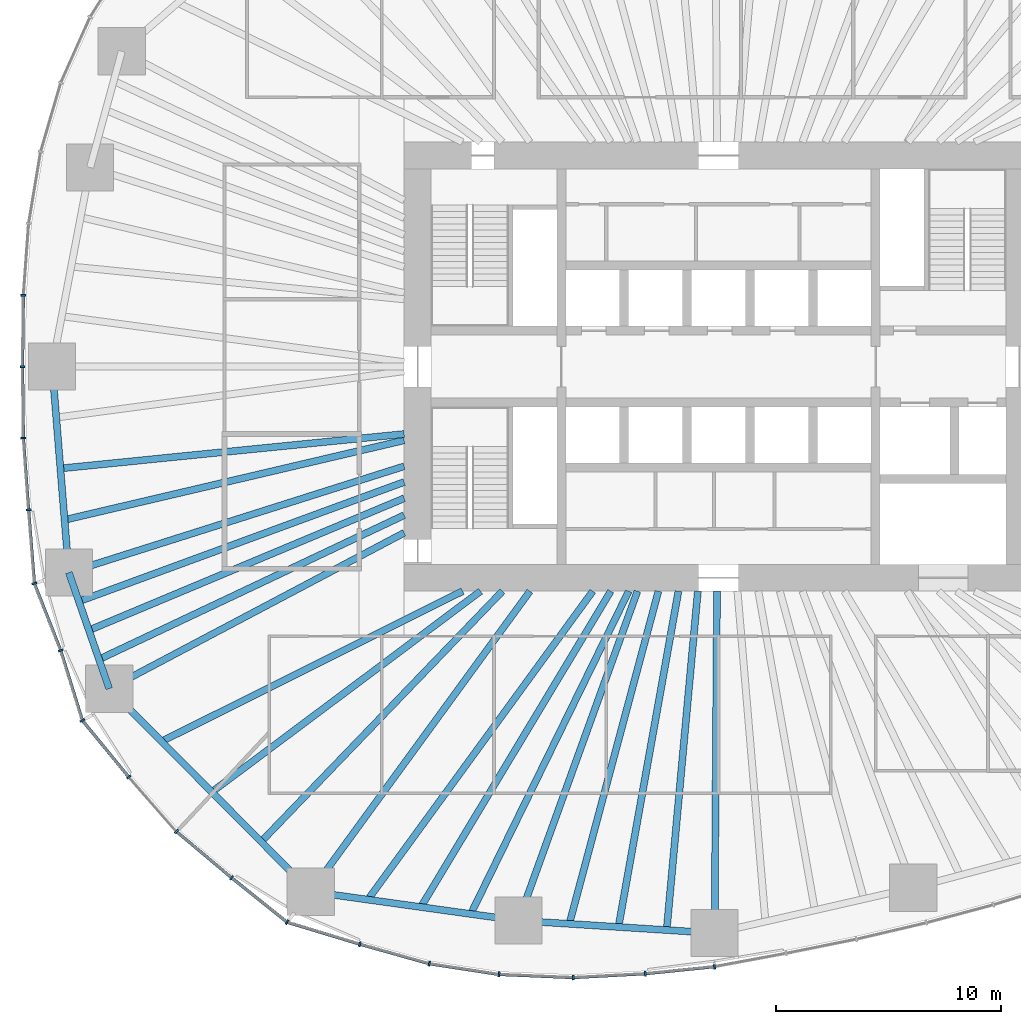
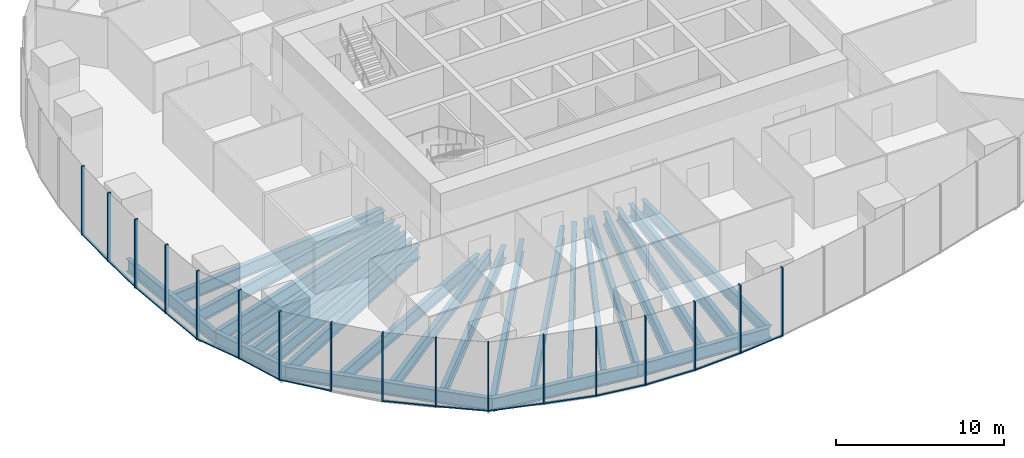
# One storey, part 2 of 20: 32 members, 24 beams, 7 elements without a shape of their own.
"""IFC4 building model written with IfcOpenShell, lengths in metres."""

from ifc_helpers import new_model, si_unit, direction, frame, origin, origin_2d, place, context, subcontext, project, spatial, rectangle, i_section, extrude, material, material_profile, profile_set, type_object, element, aggregate, save


model = new_model("IFC4")

# Units and contexts
model_context = context("Model", 3, precision=1e-05, world=origin(), true_north=direction((0.0, 1.0)))
body_context = subcontext(model_context, "Body", "Model", "MODEL_VIEW")
ifc_project = project(units=[si_unit("LENGTHUNIT", "METRE"), si_unit("AREAUNIT", "SQUARE_METRE"), si_unit("VOLUMEUNIT", "CUBIC_METRE"), si_unit("PLANEANGLEUNIT", "RADIAN"), si_unit("MASSUNIT", "GRAM", prefix="KILO")], contexts=[model_context])

# Site, building, storey
site_placement = place(None, origin())
site = spatial("IfcSite", under=ifc_project, at=site_placement, CompositionType="ELEMENT")
building_placement = place(site_placement, origin())
building = spatial("IfcBuilding", under=site, at=building_placement, Name="Ghaith Harvest Tower", CompositionType="ELEMENT")
storey_placement = place(building_placement, frame((0.0, 0.0, 50.0)))
storey = spatial("IfcBuildingStorey", under=building, at=storey_placement, Name="L10", CompositionType="ELEMENT", Elevation=50.0)

# Curtain wall, member
ifc_material_1 = material(Name="Black anodised aluminium and fritted glass", Category="aluminium")
curtain_wall_type = type_object("IfcCurtainWallType", Name="CW-F CURTAIN WALL", PredefinedType="NOTDEFINED", material=ifc_material_1)
curtain_wall_1_placement = place(storey_placement, origin())
curtain_wall_1 = element("IfcCurtainWall", 1, at=curtain_wall_1_placement, inside=storey, type_object=curtain_wall_type, Name="Curtain wall CW-F bay 10 L10", PredefinedType="NOTDEFINED")
ifc_material_2 = material(Name="Aluminium, black anodised", Category="aluminium")
ifc_material_profile_1 = material_profile(ifc_material_2, rectangle(XDim=0.080078125, YDim=0.219970703125, at=origin_2d()), Name="CW-F MULLION 80x220")
ifc_profile_set_1 = profile_set([ifc_material_profile_1], Name="Aluminium, black anodised")
member_type_1 = type_object("IfcMemberType", Name="CW-F MULLION 80x220", PredefinedType="MULLION", material=ifc_profile_set_1)
member_1_placement = place(storey_placement, frame((-30.95654296875, 3.177978515625, 0.0), z_axis=(0.0, 0.0, 1.0), x_axis=(-0.042427007767, -0.999099569118, 0.0)))
member_1 = element("IfcMember", 2, at=member_1_placement, type_object=member_type_1, Name="CW-F mullion 3 bay 10 L10", PredefinedType="MULLION", context=body_context, shape_type="SweptSolid", body=[
    extrude(rectangle(XDim=0.080078125, YDim=0.219970703125, at=origin_2d()), origin(), (0.0, 0.0, 1.0), 5.0),
])

# Curtain wall, members
curtain_wall_2_placement = place(storey_placement, origin())
curtain_wall_2 = element("IfcCurtainWall", 3, at=curtain_wall_2_placement, inside=storey, type_object=curtain_wall_type, Name="Curtain wall CW-F bay 11 L10", PredefinedType="NOTDEFINED")
member_2_placement = place(storey_placement, frame((-30.9951171875, 0.0, 0.0), z_axis=(0.0, 0.0, 1.0), x_axis=(1.4e-10, -1.0, 0.0)))
member_2 = element("IfcMember", 4, at=member_2_placement, type_object=member_type_1, Name="CW-F mullion 1 bay 11 L10", PredefinedType="MULLION", context=body_context, shape_type="SweptSolid", body=[
    extrude(rectangle(XDim=0.080078125, YDim=0.219970703125, at=origin_2d()), origin(), (0.0, 0.0, 1.0), 5.0),
])
member_3_placement = place(storey_placement, frame((-30.95654296875, -3.177978515625, 0.0), z_axis=(0.0, 0.0, 1.0), x_axis=(0.042427007872, -0.999099569114, 0.0)))
member_3 = element("IfcMember", 5, at=member_3_placement, type_object=member_type_1, Name="CW-F mullion 2 bay 11 L10", PredefinedType="MULLION", context=body_context, shape_type="SweptSolid", body=[
    extrude(rectangle(XDim=0.080078125, YDim=0.219970703125, at=origin_2d()), origin(), (0.0, 0.0, 1.0), 5.0),
])
member_4_placement = place(storey_placement, frame((-30.724365234375, -6.37548828125, 0.0), z_axis=(0.0, 0.0, 1.0), x_axis=(0.07568573288, -0.997131721408, 0.0)))
member_4 = element("IfcMember", 6, at=member_4_placement, type_object=member_type_1, Name="CW-F mullion 3 bay 11 L10", PredefinedType="MULLION", context=body_context, shape_type="SweptSolid", body=[
    extrude(rectangle(XDim=0.080078125, YDim=0.219970703125, at=origin_2d()), origin(), (0.0, 0.0, 1.0), 5.0),
])

curtain_wall_3_placement = place(storey_placement, origin())
curtain_wall_3 = element("IfcCurtainWall", 7, at=curtain_wall_3_placement, inside=storey, type_object=curtain_wall_type, Name="Curtain wall CW-F bay 12 L10", PredefinedType="NOTDEFINED")
member_5_placement = place(storey_placement, frame((-30.46484375, -9.65478515625, 0.0), z_axis=(0.0, 0.0, 1.0), x_axis=(0.222967363441, -0.974825910017, 0.0)))
member_5 = element("IfcMember", 8, at=member_5_placement, type_object=member_type_1, Name="CW-F mullion 1 bay 12 L10", PredefinedType="MULLION", context=body_context, shape_type="SweptSolid", body=[
    extrude(rectangle(XDim=0.080078125, YDim=0.219970703125, at=origin_2d()), origin(), (0.0, 0.0, 1.0), 5.0),
])
member_6_placement = place(storey_placement, frame((-29.29248046875, -12.63525390625, 0.0), z_axis=(0.0, 0.0, 1.0), x_axis=(0.330700518925, -0.943735750506, 0.0)))
member_6 = element("IfcMember", 9, at=member_6_placement, type_object=member_type_1, Name="CW-F mullion 2 bay 12 L10", PredefinedType="MULLION", context=body_context, shape_type="SweptSolid", body=[
    extrude(rectangle(XDim=0.080078125, YDim=0.219970703125, at=origin_2d()), origin(), (0.0, 0.0, 1.0), 5.0),
])
member_7_placement = place(storey_placement, frame((-28.3271484375, -15.7548828125, 0.0), z_axis=(0.0, 0.0, 1.0), x_axis=(0.473265082527, -0.880920065421, 0.0)))
member_7 = element("IfcMember", 10, at=member_7_placement, type_object=member_type_1, Name="CW-F mullion 3 bay 12 L10", PredefinedType="MULLION", context=body_context, shape_type="SweptSolid", body=[
    extrude(rectangle(XDim=0.080078125, YDim=0.219970703125, at=origin_2d()), origin(), (0.0, 0.0, 1.0), 5.0),
])

curtain_wall_4_placement = place(storey_placement, origin())
curtain_wall_4 = element("IfcCurtainWall", 11, at=curtain_wall_4_placement, inside=storey, type_object=curtain_wall_type, Name="Curtain wall CW-F bay 13 L10", PredefinedType="NOTDEFINED")
member_8_placement = place(storey_placement, frame((-26.26318359375, -18.274169921875, 0.0), z_axis=(0.0, 0.0, 1.0), x_axis=(0.646523538748, -0.762894038412, 0.0)))
member_8 = element("IfcMember", 12, at=member_8_placement, type_object=member_type_1, Name="CW-F mullion 1 bay 13 L10", PredefinedType="MULLION", context=body_context, shape_type="SweptSolid", body=[
    extrude(rectangle(XDim=0.080078125, YDim=0.219970703125, at=origin_2d()), origin(), (0.0, 0.0, 1.0), 5.0),
])
member_9_placement = place(storey_placement, frame((-24.139404296875, -20.696533203125, 0.0), z_axis=(0.0, 0.0, 1.0), x_axis=(0.714663248554, -0.699468684907, 0.0)))
member_9 = element("IfcMember", 13, at=member_9_placement, type_object=member_type_1, Name="CW-F mullion 2 bay 13 L10", PredefinedType="MULLION", context=body_context, shape_type="SweptSolid", body=[
    extrude(rectangle(XDim=0.080078125, YDim=0.219970703125, at=origin_2d()), origin(), (0.0, 0.0, 1.0), 5.0),
])
member_10_placement = place(storey_placement, frame((-21.681640625, -22.758056640625, 0.0), z_axis=(0.0, 0.0, 1.0), x_axis=(0.773138721505, -0.634236956751, 0.0)))
member_10 = element("IfcMember", 14, at=member_10_placement, type_object=member_type_1, Name="CW-F mullion 3 bay 13 L10", PredefinedType="MULLION", context=body_context, shape_type="SweptSolid", body=[
    extrude(rectangle(XDim=0.080078125, YDim=0.219970703125, at=origin_2d()), origin(), (0.0, 0.0, 1.0), 5.0),
])

curtain_wall_5_placement = place(storey_placement, origin())
curtain_wall_5 = element("IfcCurtainWall", 15, at=curtain_wall_5_placement, inside=storey, type_object=curtain_wall_type, Name="Curtain wall CW-F bay 14 L10", PredefinedType="NOTDEFINED")
member_11_placement = place(storey_placement, frame((-19.212646484375, -24.73828125, 0.0), z_axis=(0.0, 0.0, 1.0), x_axis=(0.887912253774, -0.460012858079, 0.0)))
member_11 = element("IfcMember", 16, at=member_11_placement, type_object=member_type_1, Name="CW-F mullion 1 bay 14 L10", PredefinedType="MULLION", context=body_context, shape_type="SweptSolid", body=[
    extrude(rectangle(XDim=0.080078125, YDim=0.219970703125, at=origin_2d()), origin(), (0.0, 0.0, 1.0), 5.0),
])
member_12_placement = place(storey_placement, frame((-15.97119140625, -25.716552734375, 0.0), z_axis=(0.0, 0.0, 1.0), x_axis=(0.960008876539, -0.279969564356, 0.0)))
member_12 = element("IfcMember", 17, at=member_12_placement, type_object=member_type_1, Name="CW-F mullion 2 bay 14 L10", PredefinedType="MULLION", context=body_context, shape_type="SweptSolid", body=[
    extrude(rectangle(XDim=0.080078125, YDim=0.219970703125, at=origin_2d()), origin(), (0.0, 0.0, 1.0), 5.0),
])
member_13_placement = place(storey_placement, frame((-12.880615234375, -26.5849609375, 0.0), z_axis=(0.0, 0.0, 1.0), x_axis=(0.977207016024, -0.212288595628, 0.0)))
member_13 = element("IfcMember", 18, at=member_13_placement, type_object=member_type_1, Name="CW-F mullion 3 bay 14 L10", PredefinedType="MULLION", context=body_context, shape_type="SweptSolid", body=[
    extrude(rectangle(XDim=0.080078125, YDim=0.219970703125, at=origin_2d()), origin(), (0.0, 0.0, 1.0), 5.0),
])

curtain_wall_6_placement = place(storey_placement, origin())
curtain_wall_6 = element("IfcCurtainWall", 19, at=curtain_wall_6_placement, inside=storey, type_object=curtain_wall_type, Name="Curtain wall CW-F bay 15 L10", PredefinedType="NOTDEFINED")
member_14_placement = place(storey_placement, frame((-9.7744140625, -27.062744140625, 0.0), z_axis=(0.0, 0.0, 1.0), x_axis=(0.995408459417, -0.095718331168, 0.0)))
member_14 = element("IfcMember", 20, at=member_14_placement, type_object=member_type_1, Name="CW-F mullion 1 bay 15 L10", PredefinedType="MULLION", context=body_context, shape_type="SweptSolid", body=[
    extrude(rectangle(XDim=0.080078125, YDim=0.219970703125, at=origin_2d()), origin(), (0.0, 0.0, 1.0), 5.0),
])
member_15_placement = place(storey_placement, frame((-6.465087890625, -27.20166015625, 0.0), z_axis=(0.0, 0.0, 1.0), x_axis=(0.999987206373, 0.005058368251, 0.0)))
member_15 = element("IfcMember", 21, at=member_15_placement, type_object=member_type_1, Name="CW-F mullion 2 bay 15 L10", PredefinedType="MULLION", context=body_context, shape_type="SweptSolid", body=[
    extrude(rectangle(XDim=0.080078125, YDim=0.219970703125, at=origin_2d()), origin(), (0.0, 0.0, 1.0), 5.0),
])
member_16_placement = place(storey_placement, frame((-3.261962890625, -27.02978515625, 0.0), z_axis=(0.0, 0.0, 1.0), x_axis=(0.997037536276, 0.07691652135, 0.0)))
member_16 = element("IfcMember", 22, at=member_16_placement, type_object=member_type_1, Name="CW-F mullion 3 bay 15 L10", PredefinedType="MULLION", context=body_context, shape_type="SweptSolid", body=[
    extrude(rectangle(XDim=0.080078125, YDim=0.219970703125, at=origin_2d()), origin(), (0.0, 0.0, 1.0), 5.0),
])

# Curtain wall, member
curtain_wall_7_placement = place(storey_placement, origin())
curtain_wall_7 = element("IfcCurtainWall", 23, at=curtain_wall_7_placement, inside=storey, type_object=curtain_wall_type, Name="Curtain wall CW-F bay 16 L10", PredefinedType="NOTDEFINED")
member_17_placement = place(storey_placement, frame((-0.182861328125, -26.717041015625, 0.0), z_axis=(0.0, 0.0, 1.0), x_axis=(0.98971187144, 0.143074845907, 0.0)))
member_17 = element("IfcMember", 24, at=member_17_placement, type_object=member_type_1, Name="CW-F mullion 1 bay 16 L10", PredefinedType="MULLION", context=body_context, shape_type="SweptSolid", body=[
    extrude(rectangle(XDim=0.080078125, YDim=0.219970703125, at=origin_2d()), origin(), (0.0, 0.0, 1.0), 5.0),
])
aggregate(curtain_wall_7, [member_17])

# Member
ifc_material_3 = material(Name="Aluminium, black anodised", Category="aluminium")
ifc_material_profile_2 = material_profile(ifc_material_3, rectangle(XDim=0.139892578125, YDim=0.080078125, at=origin_2d()), Name="CW-F TRANSOM 140x80")
ifc_profile_set_2 = profile_set([ifc_material_profile_2], Name="Aluminium, black anodised")
member_type_2 = type_object("IfcMemberType", Name="CW-F TRANSOM 140x80", PredefinedType="USERDEFINED", material=ifc_profile_set_2)
member_18_placement = place(storey_placement, frame((-30.95703125, 3.137939453125, 0.0400390625), z_axis=(-0.012135602457, -0.999926360865, 0.0), x_axis=(0.999926360865, -0.012135602457, 0.0)))
member_18 = element("IfcMember", 25, at=member_18_placement, type_object=member_type_2, Name="CW-F transom 3 bay 10 L10", ObjectType="TRANSOM", PredefinedType="USERDEFINED", context=body_context, shape_type="SweptSolid", body=[
    extrude(rectangle(XDim=0.139892578125, YDim=0.080078125, at=origin_2d()), origin(), (0.0, 0.0, 1.0), 3.09814453125),
])

aggregate(curtain_wall_1, [member_1, member_18])

member_19_placement = place(storey_placement, frame((-30.99462890625, -0.0400390625, 0.0400390625), z_axis=(0.012135602457, -0.999926360865, 0.0), x_axis=(0.999926360865, 0.012135602457, 0.0)))
member_19 = element("IfcMember", 26, at=member_19_placement, type_object=member_type_2, Name="CW-F transom 1 bay 11 L10", ObjectType="TRANSOM", PredefinedType="USERDEFINED", context=body_context, shape_type="SweptSolid", body=[
    extrude(rectangle(XDim=0.139892578125, YDim=0.080078125, at=origin_2d()), origin(), (0.0, 0.0, 1.0), 3.09814453125),
])

member_20_placement = place(storey_placement, frame((-30.95361328125, -3.2177734375, 0.0400390625), z_axis=(0.072473547161, -0.997370334912, 0.0), x_axis=(0.997370334912, 0.072473547161, 0.0)))
member_20 = element("IfcMember", 27, at=member_20_placement, type_object=member_type_2, Name="CW-F transom 2 bay 11 L10", ObjectType="TRANSOM", PredefinedType="USERDEFINED", context=body_context, shape_type="SweptSolid", body=[
    extrude(rectangle(XDim=0.139892578125, YDim=0.080078125, at=origin_2d()), origin(), (0.0, 0.0, 1.0), 3.126220703125),
])

member_21_placement = place(storey_placement, frame((-30.72119140625, -6.415283203125, 0.0400390625), z_axis=(0.078877539502, -0.996884313129, 0.0), x_axis=(0.996884313129, 0.078877539502, 0.0)))
member_21 = element("IfcMember", 28, at=member_21_placement, type_object=member_type_2, Name="CW-F transom 3 bay 11 L10", ObjectType="TRANSOM", PredefinedType="USERDEFINED", context=body_context, shape_type="SweptSolid", body=[
    extrude(rectangle(XDim=0.139892578125, YDim=0.080078125, at=origin_2d()), origin(), (0.0, 0.0, 1.0), 3.209716796875),
])

aggregate(curtain_wall_2, [member_2, member_19, member_3, member_20, member_4, member_21])

member_22_placement = place(storey_placement, frame((-30.4501953125, -9.692138671875, 0.0400390625), z_axis=(0.366046617161, -0.93059651518, 0.0), x_axis=(0.93059651518, 0.366046617161, 0.0)))
member_22 = element("IfcMember", 29, at=member_22_placement, type_object=member_type_2, Name="CW-F transom 1 bay 12 L10", ObjectType="TRANSOM", PredefinedType="USERDEFINED", context=body_context, shape_type="SweptSolid", body=[
    extrude(rectangle(XDim=0.139892578125, YDim=0.080078125, at=origin_2d()), origin(), (0.0, 0.0, 1.0), 3.122802734375),
])

member_23_placement = place(storey_placement, frame((-29.28076171875, -12.673583984375, 0.0400390625), z_axis=(0.295598800908, -0.955312173534, 0.0), x_axis=(0.955312173534, 0.295598800908, 0.0)))
member_23 = element("IfcMember", 30, at=member_23_placement, type_object=member_type_2, Name="CW-F transom 2 bay 12 L10", ObjectType="TRANSOM", PredefinedType="USERDEFINED", context=body_context, shape_type="SweptSolid", body=[
    extrude(rectangle(XDim=0.139892578125, YDim=0.080078125, at=origin_2d()), origin(), (0.0, 0.0, 1.0), 3.185546875),
])

member_24_placement = place(storey_placement, frame((-28.302001953125, -15.785888671875, 0.0400390625), z_axis=(0.633790042943, -0.773505126982, 0.0), x_axis=(0.773505126982, 0.633790042943, 0.0)))
member_24 = element("IfcMember", 31, at=member_24_placement, type_object=member_type_2, Name="CW-F transom 3 bay 12 L10", ObjectType="TRANSOM", PredefinedType="USERDEFINED", context=body_context, shape_type="SweptSolid", body=[
    extrude(rectangle(XDim=0.139892578125, YDim=0.080078125, at=origin_2d()), origin(), (0.0, 0.0, 1.0), 3.1767578125),
])

aggregate(curtain_wall_3, [member_5, member_22, member_6, member_23, member_7, member_24])

member_25_placement = place(storey_placement, frame((-24.10888671875, -20.72216796875, 0.0400390625), z_axis=(0.766144434184, -0.642668426149, 0.0), x_axis=(0.642668426149, 0.766144434184, 0.0)))
member_25 = element("IfcMember", 32, at=member_25_placement, type_object=member_type_2, Name="CW-F transom 2 bay 13 L10", ObjectType="TRANSOM", PredefinedType="USERDEFINED", context=body_context, shape_type="SweptSolid", body=[
    extrude(rectangle(XDim=0.139892578125, YDim=0.080078125, at=origin_2d()), origin(), (0.0, 0.0, 1.0), 3.1279296875),
])

member_26_placement = place(storey_placement, frame((-21.650634765625, -22.783203125, 0.0400390625), z_axis=(0.780181223133, -0.625553562112, 0.0), x_axis=(0.625553562112, 0.780181223133, 0.0)))
member_26 = element("IfcMember", 33, at=member_26_placement, type_object=member_type_2, Name="CW-F transom 3 bay 13 L10", ObjectType="TRANSOM", PredefinedType="USERDEFINED", context=body_context, shape_type="SweptSolid", body=[
    extrude(rectangle(XDim=0.139892578125, YDim=0.080078125, at=origin_2d()), origin(), (0.0, 0.0, 1.0), 3.085205078125),
])

aggregate(curtain_wall_4, [member_8, member_9, member_25, member_10, member_26])

member_27_placement = place(storey_placement, frame((-19.17431640625, -24.749755859375, 0.0400390625), z_axis=(0.957335035376, -0.288980328121, 0.0), x_axis=(0.288980328121, 0.957335035376, 0.0)))
member_27 = element("IfcMember", 34, at=member_27_placement, type_object=member_type_2, Name="CW-F transom 1 bay 14 L10", ObjectType="TRANSOM", PredefinedType="USERDEFINED", context=body_context, shape_type="SweptSolid", body=[
    extrude(rectangle(XDim=0.139892578125, YDim=0.080078125, at=origin_2d()), origin(), (0.0, 0.0, 1.0), 3.305908203125),
])

member_28_placement = place(storey_placement, frame((-15.9326171875, -25.727294921875, 0.0400390625), z_axis=(0.962727128991, -0.270474536888, 0.0), x_axis=(0.270474536888, 0.962727128991, 0.0)))
member_28 = element("IfcMember", 35, at=member_28_placement, type_object=member_type_2, Name="CW-F transom 2 bay 14 L10", ObjectType="TRANSOM", PredefinedType="USERDEFINED", context=body_context, shape_type="SweptSolid", body=[
    extrude(rectangle(XDim=0.139892578125, YDim=0.080078125, at=origin_2d()), origin(), (0.0, 0.0, 1.0), 3.13037109375),
])

member_29_placement = place(storey_placement, frame((-12.841064453125, -26.591064453125, 0.0400390625), z_axis=(0.988378147633, -0.152015253451, 0.0), x_axis=(0.152015253451, 0.988378147633, 0.0)))
member_29 = element("IfcMember", 36, at=member_29_placement, type_object=member_type_2, Name="CW-F transom 3 bay 14 L10", ObjectType="TRANSOM", PredefinedType="USERDEFINED", context=body_context, shape_type="SweptSolid", body=[
    extrude(rectangle(XDim=0.139892578125, YDim=0.080078125, at=origin_2d()), origin(), (0.0, 0.0, 1.0), 3.062744140625),
])

aggregate(curtain_wall_5, [member_11, member_27, member_12, member_28, member_13, member_29])

member_30_placement = place(storey_placement, frame((-9.734375, -27.064453125, 0.0400390625), z_axis=(0.999117688764, -0.04199814281, 0.0), x_axis=(0.04199814281, 0.999117688764, 0.0)))
member_30 = element("IfcMember", 37, at=member_30_placement, type_object=member_type_2, Name="CW-F transom 1 bay 15 L10", ObjectType="TRANSOM", PredefinedType="USERDEFINED", context=body_context, shape_type="SweptSolid", body=[
    extrude(rectangle(XDim=0.139892578125, YDim=0.080078125, at=origin_2d()), origin(), (0.0, 0.0, 1.0), 3.232177734375),
])

member_31_placement = place(storey_placement, frame((-6.42529296875, -27.19970703125, 0.0400390625), z_axis=(0.99856142387, 0.053619798202, 0.0), x_axis=(-0.053619798202, 0.99856142387, 0.0)))
member_31 = element("IfcMember", 38, at=member_31_placement, type_object=member_type_2, Name="CW-F transom 2 bay 15 L10", ObjectType="TRANSOM", PredefinedType="USERDEFINED", context=body_context, shape_type="SweptSolid", body=[
    extrude(rectangle(XDim=0.139892578125, YDim=0.080078125, at=origin_2d()), origin(), (0.0, 0.0, 1.0), 3.1279296875),
])

member_32_placement = place(storey_placement, frame((-3.22216796875, -27.02587890625, 0.0400390625), z_axis=(0.994880435036, 0.101058992587, 0.0), x_axis=(-0.101058992587, 0.994880435036, 0.0)))
member_32 = element("IfcMember", 39, at=member_32_placement, type_object=member_type_2, Name="CW-F transom 3 bay 15 L10", ObjectType="TRANSOM", PredefinedType="USERDEFINED", context=body_context, shape_type="SweptSolid", body=[
    extrude(rectangle(XDim=0.139892578125, YDim=0.080078125, at=origin_2d()), origin(), (0.0, 0.0, 1.0), 3.014892578125),
])

aggregate(curtain_wall_6, [member_14, member_30, member_15, member_31, member_16, member_32])

# Beams
ifc_material_4 = material(Name="Steel ASTM A992 Grade 50", Category="steel")
ifc_material_profile_3 = material_profile(ifc_material_4, i_section(OverallWidth=0.306884765625, OverallDepth=0.94189453125, WebThickness=0.022216796875, FlangeThickness=0.039794921875, at=origin_2d()), Name="W920X345")
ifc_profile_set_3 = profile_set([ifc_material_profile_3], Name="Steel ASTM A992 Grade 50")
beam_type_1 = type_object("IfcBeamType", Name="E920-345 W920X345", PredefinedType="SPANDREL", material=ifc_profile_set_3)
beam_1_placement = place(storey_placement, frame((-29.675048828125, 0.0, -0.6708984375), z_axis=(0.081006863421, -0.996713543642, 0.0), x_axis=(0.996713543642, 0.081006863421, 0.0)))
element("IfcBeam", 40, at=beam_1_placement, inside=storey, type_object=beam_type_1, Name="Edge beam E11 L10", PredefinedType="SPANDREL", context=body_context, shape_type="SweptSolid", body=[
    extrude(i_section(OverallWidth=0.306884765625, OverallDepth=0.94189453125, WebThickness=0.022216796875, FlangeThickness=0.039794921875, at=origin_2d()), origin(), (0.0, 0.0, 1.0), 9.1982421875),
])
beam_2_placement = place(storey_placement, frame((-28.929931640625, -9.16796875, -0.6708984375), z_axis=(0.328278550319, -0.944580961803, 0.0), x_axis=(0.944580961803, 0.328278550319, 0.0)))
element("IfcBeam", 41, at=beam_2_placement, inside=storey, type_object=beam_type_1, Name="Edge beam E12 L10", PredefinedType="SPANDREL", context=body_context, shape_type="SweptSolid", body=[
    extrude(i_section(OverallWidth=0.306884765625, OverallDepth=0.94189453125, WebThickness=0.022216796875, FlangeThickness=0.039794921875, at=origin_2d()), origin(), (0.0, 0.0, 1.0), 5.4765625),
])
beam_3_placement = place(storey_placement, frame((-27.132080078125, -14.341064453125, -0.6708984375), z_axis=(0.704562513714, -0.709641926798, 0.0), x_axis=(0.709641926798, 0.704562513714, 0.0)))
element("IfcBeam", 42, at=beam_3_placement, inside=storey, type_object=beam_type_1, Name="Edge beam E13 L10", PredefinedType="SPANDREL", context=body_context, shape_type="SweptSolid", body=[
    extrude(i_section(OverallWidth=0.306884765625, OverallDepth=0.94189453125, WebThickness=0.022216796875, FlangeThickness=0.039794921875, at=origin_2d()), origin(), (0.0, 0.0, 1.0), 12.737060546875),
])
beam_4_placement = place(storey_placement, frame((-18.157958984375, -23.3798828125, -0.6708984375), z_axis=(0.990441143901, -0.137936001352, 0.0), x_axis=(0.137936001352, 0.990441143901, 0.0)))
element("IfcBeam", 43, at=beam_4_placement, inside=storey, type_object=beam_type_1, Name="Edge beam E14 L10", PredefinedType="SPANDREL", context=body_context, shape_type="SweptSolid", body=[
    extrude(i_section(OverallWidth=0.306884765625, OverallDepth=0.94189453125, WebThickness=0.022216796875, FlangeThickness=0.039794921875, at=origin_2d()), origin(), (0.0, 0.0, 1.0), 9.33837890625),
])
beam_5_placement = place(storey_placement, frame((-8.908935546875, -24.66796875, -0.6708984375), z_axis=(0.99797963184, -0.063534671101, 0.0), x_axis=(0.063534671101, 0.99797963184, 0.0)))
element("IfcBeam", 44, at=beam_5_placement, inside=storey, type_object=beam_type_1, Name="Edge beam E15 L10", PredefinedType="SPANDREL", context=body_context, shape_type="SweptSolid", body=[
    extrude(i_section(OverallWidth=0.306884765625, OverallDepth=0.94189453125, WebThickness=0.022216796875, FlangeThickness=0.039794921875, at=origin_2d()), origin(), (0.0, 0.0, 1.0), 8.75341796875),
])
ifc_material_5 = material(Name="Steel ASTM A992 Grade 50", Category="steel")
ifc_material_profile_4 = material_profile(ifc_material_5, i_section(OverallWidth=0.306884765625, OverallDepth=0.94189453125, WebThickness=0.022216796875, FlangeThickness=0.039794921875, at=origin_2d()), Name="W920X345")
ifc_profile_set_4 = profile_set([ifc_material_profile_4], Name="Steel ASTM A992 Grade 50")
beam_type_2 = type_object("IfcBeamType", Name="G920-345 W920X345", PredefinedType="BEAM", material=ifc_profile_set_4)
beam_6_placement = place(storey_placement, frame((-14.0, -4.43701171875, -0.6708984375), z_axis=(-0.953284407194, -0.302074227636, 0.0), x_axis=(0.302074227636, -0.953284407194, 0.0)))
element("IfcBeam", 45, at=beam_6_placement, inside=storey, type_object=beam_type_2, Name="Radial girder G12 L10", PredefinedType="BEAM", context=body_context, shape_type="SweptSolid", body=[
    extrude(i_section(OverallWidth=0.306884765625, OverallDepth=0.94189453125, WebThickness=0.022216796875, FlangeThickness=0.039794921875, at=origin_2d()), origin(), (0.0, 0.0, 1.0), 15.66162109375),
])
beam_7_placement = place(storey_placement, frame((-14.0, -7.39990234375, -0.6708984375), z_axis=(-0.884097171481, -0.467303104397, 0.0), x_axis=(0.467303104397, -0.884097171481, 0.0)))
element("IfcBeam", 46, at=beam_7_placement, inside=storey, type_object=beam_type_2, Name="Radial girder G13 L10", PredefinedType="BEAM", context=body_context, shape_type="SweptSolid", body=[
    extrude(i_section(OverallWidth=0.306884765625, OverallDepth=0.94189453125, WebThickness=0.022216796875, FlangeThickness=0.039794921875, at=origin_2d()), origin(), (0.0, 0.0, 1.0), 14.853759765625),
])
beam_8_placement = place(storey_placement, frame((-8.39990234375, -10.0, -0.6708984375), z_axis=(-0.589246749374, -0.807953134997, 0.0), x_axis=(0.807953134997, -0.589246749374, 0.0)))
element("IfcBeam", 47, at=beam_8_placement, inside=storey, type_object=beam_type_2, Name="Radial girder G14 L10", PredefinedType="BEAM", context=body_context, shape_type="SweptSolid", body=[
    extrude(i_section(OverallWidth=0.306884765625, OverallDepth=0.94189453125, WebThickness=0.022216796875, FlangeThickness=0.039794921875, at=origin_2d()), origin(), (0.0, 0.0, 1.0), 16.560302734375),
])
beam_9_placement = place(storey_placement, frame((-3.61181640625, -10.0, -0.6708984375), z_axis=(-0.339664467784, -0.940546675782, 0.0), x_axis=(0.940546675782, -0.339664467784, 0.0)))
element("IfcBeam", 48, at=beam_9_placement, inside=storey, type_object=beam_type_2, Name="Radial girder G15 L10", PredefinedType="BEAM", context=body_context, shape_type="SweptSolid", body=[
    extrude(i_section(OverallWidth=0.306884765625, OverallDepth=0.94189453125, WebThickness=0.022216796875, FlangeThickness=0.039794921875, at=origin_2d()), origin(), (0.0, 0.0, 1.0), 15.59521484375),
])
beam_10_placement = place(storey_placement, frame((-0.068359375, -10.0, -0.6708984375), z_axis=(-0.006879467722, -0.999976336182, 0.0), x_axis=(0.999976336182, -0.006879467722, 0.0)))
element("IfcBeam", 49, at=beam_10_placement, inside=storey, type_object=beam_type_2, Name="Radial girder G16 L10", PredefinedType="BEAM", context=body_context, shape_type="SweptSolid", body=[
    extrude(i_section(OverallWidth=0.306884765625, OverallDepth=0.94189453125, WebThickness=0.022216796875, FlangeThickness=0.039794921875, at=origin_2d()), origin(), (0.0, 0.0, 1.0), 15.224365234375),
])
ifc_material_6 = material(Name="Steel ASTM A992 Grade 50", Category="steel")
ifc_material_profile_5 = material_profile(ifc_material_6, i_section(OverallWidth=0.31005859375, OverallDepth=0.927001953125, WebThickness=0.019287109375, FlangeThickness=0.031982421875, at=origin_2d()), Name="W920X289")
ifc_profile_set_5 = profile_set([ifc_material_profile_5], Name="Steel ASTM A992 Grade 50")
beam_type_3 = type_object("IfcBeamType", Name="J920-289 W920X289", PredefinedType="JOIST", material=ifc_profile_set_5)
beam_11_placement = place(storey_placement, frame((-14.0, -3.0, -0.66357421875), z_axis=(-0.995023982133, -0.099635711366, 0.0), x_axis=(0.099635711366, -0.995023982133, 0.0)))
element("IfcBeam", 50, at=beam_11_placement, inside=storey, type_object=beam_type_3, Name="Joist J11.2 L10", PredefinedType="JOIST", context=body_context, shape_type="SweptSolid", body=[
    extrude(i_section(OverallWidth=0.31005859375, OverallDepth=0.927001953125, WebThickness=0.019287109375, FlangeThickness=0.031982421875, at=origin_2d()), origin(), (0.0, 0.0, 1.0), 15.38330078125),
])
beam_12_placement = place(storey_placement, frame((-14.0, -3.280517578125, -0.66357421875), z_axis=(-0.973622531394, -0.228164778969, 0.0), x_axis=(0.228164778969, -0.973622531394, 0.0)))
element("IfcBeam", 51, at=beam_12_placement, inside=storey, type_object=beam_type_3, Name="Joist J11.3 L10", PredefinedType="JOIST", context=body_context, shape_type="SweptSolid", body=[
    extrude(i_section(OverallWidth=0.31005859375, OverallDepth=0.927001953125, WebThickness=0.019287109375, FlangeThickness=0.031982421875, at=origin_2d()), origin(), (0.0, 0.0, 1.0), 15.5302734375),
])
beam_13_placement = place(storey_placement, frame((-14.0, -5.137939453125, -0.66357421875), z_axis=(-0.938772784742, -0.344536875569, 0.0), x_axis=(0.344536875569, -0.938772784742, 0.0)))
element("IfcBeam", 52, at=beam_13_placement, inside=storey, type_object=beam_type_3, Name="Joist J12.1 L10", PredefinedType="JOIST", context=body_context, shape_type="SweptSolid", body=[
    extrude(i_section(OverallWidth=0.31005859375, OverallDepth=0.927001953125, WebThickness=0.019287109375, FlangeThickness=0.031982421875, at=origin_2d()), origin(), (0.0, 0.0, 1.0), 15.427734375),
])
beam_14_placement = place(storey_placement, frame((-14.0, -5.862548828125, -0.66357421875), z_axis=(-0.922389547545, -0.386260951404, 0.0), x_axis=(0.386260951404, -0.922389547545, 0.0)))
element("IfcBeam", 53, at=beam_14_placement, inside=storey, type_object=beam_type_3, Name="Joist J12.2 L10", PredefinedType="JOIST", context=body_context, shape_type="SweptSolid", body=[
    extrude(i_section(OverallWidth=0.31005859375, OverallDepth=0.927001953125, WebThickness=0.019287109375, FlangeThickness=0.031982421875, at=origin_2d()), origin(), (0.0, 0.0, 1.0), 15.216796875),
])
beam_15_placement = place(storey_placement, frame((-14.0, -6.614990234375, -0.66357421875), z_axis=(-0.904152605228, -0.427209628239, 0.0), x_axis=(0.427209628239, -0.904152605228, 0.0)))
element("IfcBeam", 54, at=beam_15_placement, inside=storey, type_object=beam_type_3, Name="Joist J12.3 L10", PredefinedType="JOIST", context=body_context, shape_type="SweptSolid", body=[
    extrude(i_section(OverallWidth=0.31005859375, OverallDepth=0.927001953125, WebThickness=0.019287109375, FlangeThickness=0.031982421875, at=origin_2d()), origin(), (0.0, 0.0, 1.0), 15.0263671875),
])
beam_16_placement = place(storey_placement, frame((-11.39990234375, -10.0, -0.66357421875), z_axis=(-0.894746445211, -0.446574516495, 0.0), x_axis=(0.446574516495, -0.894746445211, 0.0)))
element("IfcBeam", 55, at=beam_16_placement, inside=storey, type_object=beam_type_3, Name="Joist J13.1 L10", PredefinedType="JOIST", context=body_context, shape_type="SweptSolid", body=[
    extrude(i_section(OverallWidth=0.31005859375, OverallDepth=0.927001953125, WebThickness=0.019287109375, FlangeThickness=0.031982421875, at=origin_2d()), origin(), (0.0, 0.0, 1.0), 14.977783203125),
])
beam_17_placement = place(storey_placement, frame((-10.60009765625, -10.0, -0.66357421875), z_axis=(-0.800995319048, -0.598670609653, 0.0), x_axis=(0.598670609653, -0.800995319048, 0.0)))
element("IfcBeam", 56, at=beam_17_placement, inside=storey, type_object=beam_type_3, Name="Joist J13.2 L10", PredefinedType="JOIST", context=body_context, shape_type="SweptSolid", body=[
    extrude(i_section(OverallWidth=0.31005859375, OverallDepth=0.927001953125, WebThickness=0.019287109375, FlangeThickness=0.031982421875, at=origin_2d()), origin(), (0.0, 0.0, 1.0), 14.936279296875),
])
beam_18_placement = place(storey_placement, frame((-1.785888671875, -10.0, -0.66357421875), z_axis=(-0.175792307544, -0.984427277461, 0.0), x_axis=(0.984427277461, -0.175792307544, 0.0)))
element("IfcBeam", 57, at=beam_18_placement, inside=storey, type_object=beam_type_3, Name="Joist J15.2 L10", PredefinedType="JOIST", context=body_context, shape_type="SweptSolid", body=[
    extrude(i_section(OverallWidth=0.31005859375, OverallDepth=0.927001953125, WebThickness=0.019287109375, FlangeThickness=0.031982421875, at=origin_2d()), origin(), (0.0, 0.0, 1.0), 15.18798828125),
])
beam_19_placement = place(storey_placement, frame((-0.92041015625, -10.0, -0.66357421875), z_axis=(-0.091651457116, -0.995791147987, 0.0), x_axis=(0.995791147987, -0.091651457116, 0.0)))
element("IfcBeam", 58, at=beam_19_placement, inside=storey, type_object=beam_type_3, Name="Joist J15.3 L10", PredefinedType="JOIST", context=body_context, shape_type="SweptSolid", body=[
    extrude(i_section(OverallWidth=0.31005859375, OverallDepth=0.927001953125, WebThickness=0.019287109375, FlangeThickness=0.031982421875, at=origin_2d()), origin(), (0.0, 0.0, 1.0), 15.151611328125),
])
ifc_material_7 = material(Name="Steel ASTM A992 Grade 50", Category="steel")
ifc_material_profile_6 = material_profile(ifc_material_7, i_section(OverallWidth=0.306884765625, OverallDepth=0.94189453125, WebThickness=0.022216796875, FlangeThickness=0.039794921875, at=origin_2d()), Name="W920X345")
ifc_profile_set_6 = profile_set([ifc_material_profile_6], Name="Steel ASTM A992 Grade 50")
beam_type_4 = type_object("IfcBeamType", Name="J920-345 W920X345", PredefinedType="JOIST", material=ifc_profile_set_6)
beam_20_placement = place(storey_placement, frame((-9.626708984375, -10.0, -0.6708984375), z_axis=(-0.69353836378, -0.720419695709, 0.0), x_axis=(0.720419695709, -0.69353836378, 0.0)))
element("IfcBeam", 59, at=beam_20_placement, inside=storey, type_object=beam_type_4, Name="Joist J13.3 L10", PredefinedType="JOIST", context=body_context, shape_type="SweptSolid", body=[
    extrude(i_section(OverallWidth=0.306884765625, OverallDepth=0.94189453125, WebThickness=0.022216796875, FlangeThickness=0.039794921875, at=origin_2d()), origin(), (0.0, 0.0, 1.0), 15.485107421875),
])
beam_21_placement = place(storey_placement, frame((-5.60009765625, -10.0, -0.6708984375), z_axis=(-0.589160240072, -0.808016219836, 0.0), x_axis=(0.808016219836, -0.589160240072, 0.0)))
element("IfcBeam", 60, at=beam_21_placement, inside=storey, type_object=beam_type_4, Name="Joist J14.1 L10", PredefinedType="JOIST", context=body_context, shape_type="SweptSolid", body=[
    extrude(i_section(OverallWidth=0.306884765625, OverallDepth=0.94189453125, WebThickness=0.022216796875, FlangeThickness=0.039794921875, at=origin_2d()), origin(), (0.0, 0.0, 1.0), 16.997314453125),
])
beam_22_placement = place(storey_placement, frame((-4.800048828125, -10.0, -0.6708984375), z_axis=(-0.515226384897, -0.85705412449, 0.0), x_axis=(0.85705412449, -0.515226384897, 0.0)))
element("IfcBeam", 61, at=beam_22_placement, inside=storey, type_object=beam_type_4, Name="Joist J14.2 L10", PredefinedType="JOIST", context=body_context, shape_type="SweptSolid", body=[
    extrude(i_section(OverallWidth=0.306884765625, OverallDepth=0.94189453125, WebThickness=0.022216796875, FlangeThickness=0.039794921875, at=origin_2d()), origin(), (0.0, 0.0, 1.0), 16.408447265625),
])
beam_23_placement = place(storey_placement, frame((-4.0, -10.0, -0.6708984375), z_axis=(-0.439463806704, -0.898260297797, 0.0), x_axis=(0.898260297797, -0.439463806704, 0.0)))
element("IfcBeam", 62, at=beam_23_placement, inside=storey, type_object=beam_type_4, Name="Joist J14.3 L10", PredefinedType="JOIST", context=body_context, shape_type="SweptSolid", body=[
    extrude(i_section(OverallWidth=0.306884765625, OverallDepth=0.94189453125, WebThickness=0.022216796875, FlangeThickness=0.039794921875, at=origin_2d()), origin(), (0.0, 0.0, 1.0), 16.000244140625),
])
beam_24_placement = place(storey_placement, frame((-2.677978515625, -10.0, -0.6708984375), z_axis=(-0.258693109612, -0.965959561803, 0.0), x_axis=(0.965959561803, -0.258693109612, 0.0)))
element("IfcBeam", 63, at=beam_24_placement, inside=storey, type_object=beam_type_4, Name="Joist J15.1 L10", PredefinedType="JOIST", context=body_context, shape_type="SweptSolid", body=[
    extrude(i_section(OverallWidth=0.306884765625, OverallDepth=0.94189453125, WebThickness=0.022216796875, FlangeThickness=0.039794921875, at=origin_2d()), origin(), (0.0, 0.0, 1.0), 15.333984375),
])

save(model, "model.ifc")
